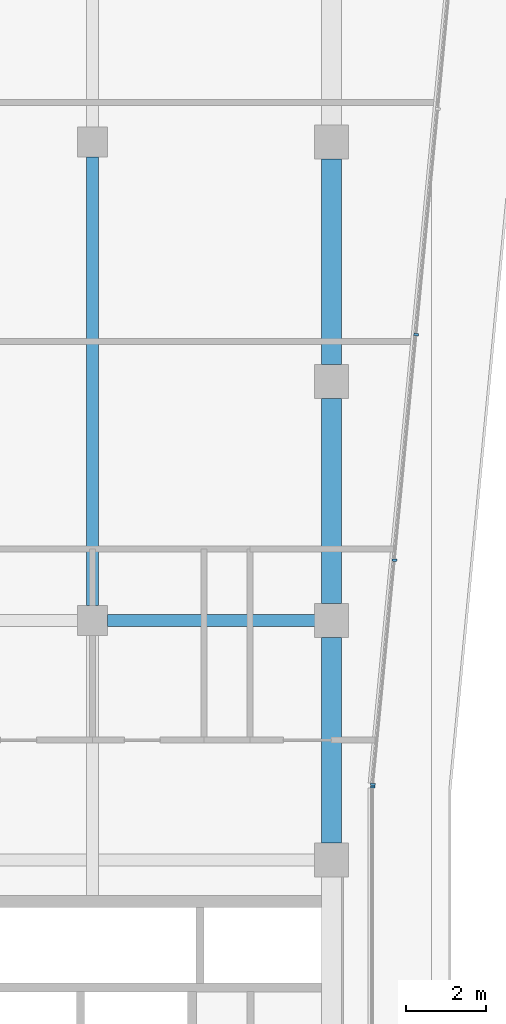
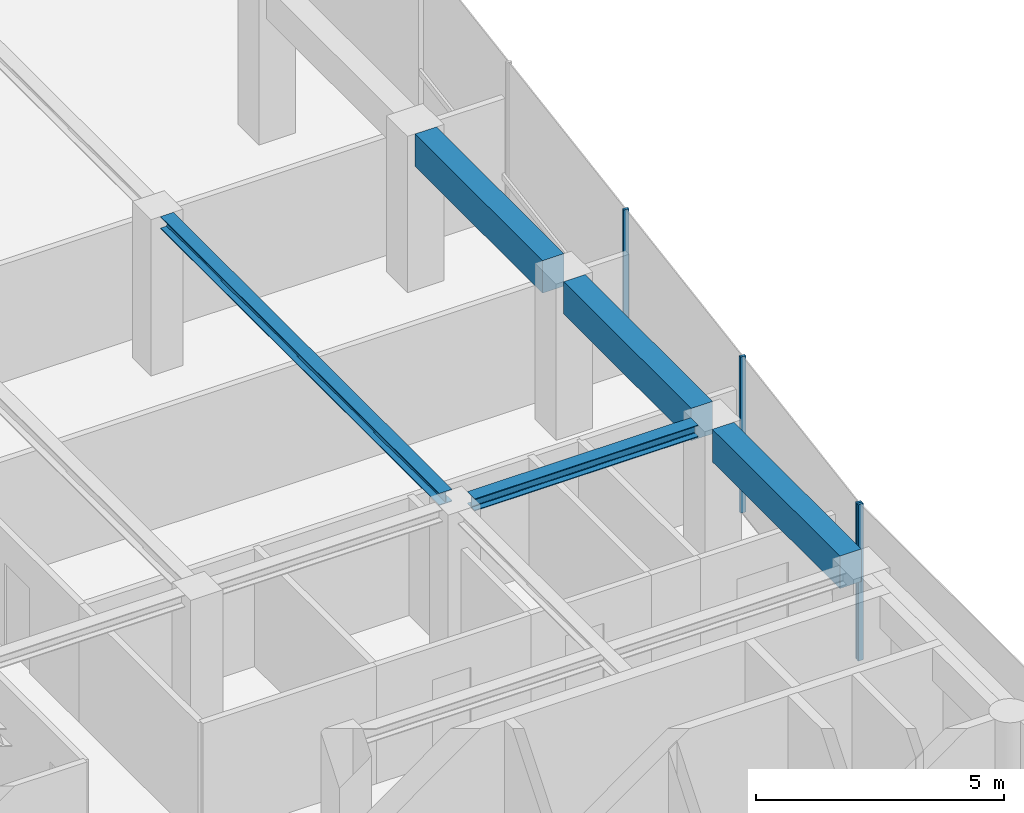
# One storey, part 8 of 25: 5 beams, 4 members, 2 elements without a shape of their own.
"""IFC4 building model written with IfcOpenShell, lengths in metres."""

from ifc_helpers import new_model, si_unit, direction, frame, origin, origin_2d, place, context, subcontext, project, spatial, rectangle, i_section, extrude, material, layer, layer_set, material_profile, profile_set, type_object, element, aggregate, save


model = new_model("IFC4")

# Units and contexts
model_context = context("Model", 3, precision=1e-05, world=origin(), true_north=direction((0.0, 1.0)))
body_context = subcontext(model_context, "Body", "Model", "MODEL_VIEW")
ifc_project = project(units=[si_unit("LENGTHUNIT", "METRE"), si_unit("AREAUNIT", "SQUARE_METRE"), si_unit("VOLUMEUNIT", "CUBIC_METRE"), si_unit("PLANEANGLEUNIT", "RADIAN"), si_unit("MASSUNIT", "GRAM", prefix="KILO")], contexts=[model_context])

# Site, building, storey
site_placement = place(None, origin())
site = spatial("IfcSite", under=ifc_project, at=site_placement, CompositionType="ELEMENT")
building_placement = place(site_placement, origin())
building = spatial("IfcBuilding", under=site, at=building_placement, Name="Welwitschia Terrace Campus", CompositionType="ELEMENT")
storey_placement = place(building_placement, frame((0.0, 0.0, 264.199951171875)))
storey = spatial("IfcBuildingStorey", under=building, at=storey_placement, Name="L58", CompositionType="ELEMENT", Elevation=264.199951171875)

# Beams
ifc_material_1 = material(Name="Steel S355", Category="steel")
ifc_material_profile_1 = material_profile(ifc_material_1, i_section(OverallWidth=0.300048828125, OverallDepth=0.300048828125, WebThickness=0.010986328125, FlangeThickness=0.01904296875, FilletRadius=0.027099609375, at=origin_2d()))
ifc_profile_set_1 = profile_set([ifc_material_profile_1], Name="Steel S355")
beam_type_1 = type_object("IfcBeamType", Name="Interior girder HE 300 B", PredefinedType="BEAM", material=ifc_profile_set_1)
beam_1_placement = place(storey_placement, frame((18.37548828125, 32.0, 3.699951171875), z_axis=(1.0, 0.0, 0.0), x_axis=(0.0, 1.0, 0.0)))
element("IfcBeam", 1, at=beam_1_placement, inside=storey, type_object=beam_type_1, Name="Girder GB6", PredefinedType="BEAM", context=body_context, shape_type="SweptSolid", body=[
    extrude(i_section(OverallWidth=0.300048828125, OverallDepth=0.300048828125, WebThickness=0.010986328125, FlangeThickness=0.01904296875, FilletRadius=0.027099609375, at=origin_2d()), origin(), (0.0, 0.0, 1.0), 5.208984375),
])
beam_2_placement = place(storey_placement, frame((18.0, 32.37548828125, 3.699951171875), z_axis=(0.0, 1.0, 0.0), x_axis=(-1.0, 0.0, 0.0)))
element("IfcBeam", 2, at=beam_2_placement, inside=storey, type_object=beam_type_1, Name="Girder GB6", PredefinedType="BEAM", context=body_context, shape_type="SweptSolid", body=[
    extrude(i_section(OverallWidth=0.300048828125, OverallDepth=0.300048828125, WebThickness=0.010986328125, FlangeThickness=0.01904296875, FilletRadius=0.027099609375, at=origin_2d()), origin(), (0.0, 0.0, 1.0), 11.2490234375),
])

# Curtain wall, member
ifc_material_2 = material(Name="Bronze anodised aluminium", Category="aluminium")
ifc_layer = layer(ifc_material_2, 0.1201171875)
ifc_layer_set = layer_set([ifc_layer], Name="Bronze anodised aluminium")
curtain_wall_type = type_object("IfcCurtainWallType", Name="Curtain wall CW2 tower 6000", PredefinedType="NOTDEFINED", material=ifc_layer_set)
curtain_wall_1_placement = place(storey_placement, origin())
curtain_wall_1 = element("IfcCurtainWall", 3, at=curtain_wall_1_placement, inside=storey, type_object=curtain_wall_type, Name="CW L58.9.0", PredefinedType="NOTDEFINED")
ifc_material_3 = material(Name="Bronze anodised aluminium", Category="aluminium")
ifc_material_profile_2 = material_profile(ifc_material_3, rectangle(XDim=0.1201171875, YDim=0.06005859375, at=origin_2d()))
ifc_profile_set_2 = profile_set([ifc_material_profile_2], Name="Bronze anodised aluminium")
member_type = type_object("IfcMemberType", Name="Mullion 60x120", PredefinedType="MULLION", material=ifc_profile_set_2)
member_1_placement = place(storey_placement, frame((25.030029296875, 27.826904296875, 0.0), z_axis=(0.0, 0.0, 1.0), x_axis=(-1.0, 0.0, 0.0)))
member_1 = element("IfcMember", 4, at=member_1_placement, type_object=member_type, Name="Mullion L58.9.0.1", PredefinedType="MULLION", context=body_context, shape_type="SweptSolid", body=[
    extrude(rectangle(XDim=0.1201171875, YDim=0.06005859375, at=origin_2d()), origin(), (0.0, 0.0, 1.0), 3.85009765625),
])
aggregate(curtain_wall_1, [member_1])

# Curtain wall, members
curtain_wall_2_placement = place(storey_placement, origin())
curtain_wall_2 = element("IfcCurtainWall", 5, at=curtain_wall_2_placement, inside=storey, type_object=curtain_wall_type, Name="CW L58.10.0", PredefinedType="NOTDEFINED")
member_2_placement = place(storey_placement, frame((25.032958984375, 27.886962890625, 0.0), z_axis=(0.0, 0.0, 1.0), x_axis=(-0.995396198367, 0.09584575252, 0.0)))
member_2 = element("IfcMember", 6, at=member_2_placement, type_object=member_type, Name="Mullion L58.10.0.0", PredefinedType="MULLION", context=body_context, shape_type="SweptSolid", body=[
    extrude(rectangle(XDim=0.1201171875, YDim=0.06005859375, at=origin_2d()), origin(), (0.0, 0.0, 1.0), 3.85009765625),
])
member_3_placement = place(storey_placement, frame((25.574951171875, 33.515869140625, 0.0), z_axis=(0.0, 0.0, 1.0), x_axis=(-0.995396198367, 0.09584575252, 0.0)))
member_3 = element("IfcMember", 7, at=member_3_placement, type_object=member_type, Name="Mullion L58.10.0.1", PredefinedType="MULLION", context=body_context, shape_type="SweptSolid", body=[
    extrude(rectangle(XDim=0.1201171875, YDim=0.06005859375, at=origin_2d()), origin(), (0.0, 0.0, 1.0), 3.85009765625),
])
member_4_placement = place(storey_placement, frame((26.119873046875, 39.1748046875, 0.0), z_axis=(0.0, 0.0, 1.0), x_axis=(-0.995396198367, 0.09584575252, 0.0)))
member_4 = element("IfcMember", 8, at=member_4_placement, type_object=member_type, Name="Mullion L58.10.0.2", PredefinedType="MULLION", context=body_context, shape_type="SweptSolid", body=[
    extrude(rectangle(XDim=0.1201171875, YDim=0.06005859375, at=origin_2d()), origin(), (0.0, 0.0, 1.0), 3.85009765625),
])
aggregate(curtain_wall_2, [member_2, member_3, member_4])

# Beams
ifc_material_4 = material(Name="Concrete C50/60", Category="concrete")
ifc_material_profile_3 = material_profile(ifc_material_4, rectangle(XDim=0.5, YDim=0.800048828125, at=origin_2d()))
ifc_profile_set_3 = profile_set([ifc_material_profile_3], Name="Concrete C50/60")
beam_type_2 = type_object("IfcBeamType", Name="Ring spandrel 500x800", PredefinedType="SPANDREL", material=ifc_profile_set_3)
for number, where, z_axis, x_axis, name in (
    (9, (24.0, 26.425537109375, 3.449951171875), (0.0, 1.0, 0.0), (-1.0, 0.0, 0.0), "Spandrel SP4"),
    (10, (24.0, 32.425537109375, 3.449951171875), (0.0, 1.0, 0.0), (-1.0, 0.0, 0.0), "Spandrel SP4"),
    (11, (24.0, 38.425537109375, 3.449951171875), (0.0, 1.0, 0.0), (-1.0, 0.0, 0.0), "Spandrel SP4"),
):
    element("IfcBeam", number, at=place(storey_placement, frame(where, z_axis=z_axis, x_axis=x_axis)), inside=storey, type_object=beam_type_2, Name=name, PredefinedType="SPANDREL", context=body_context, shape_type="SweptSolid", body=[
        extrude(rectangle(XDim=0.5, YDim=0.800048828125, at=origin_2d()), origin(), (0.0, 0.0, 1.0), 5.14892578125),
    ])

save(model, "model.ifc")
